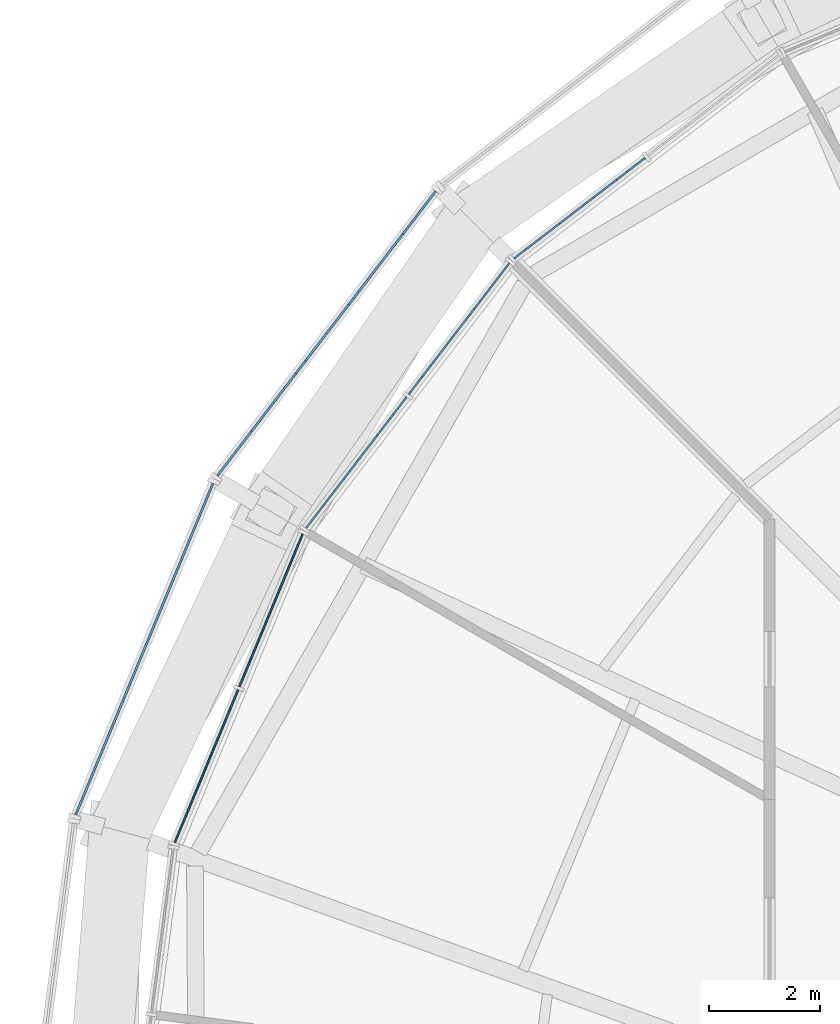
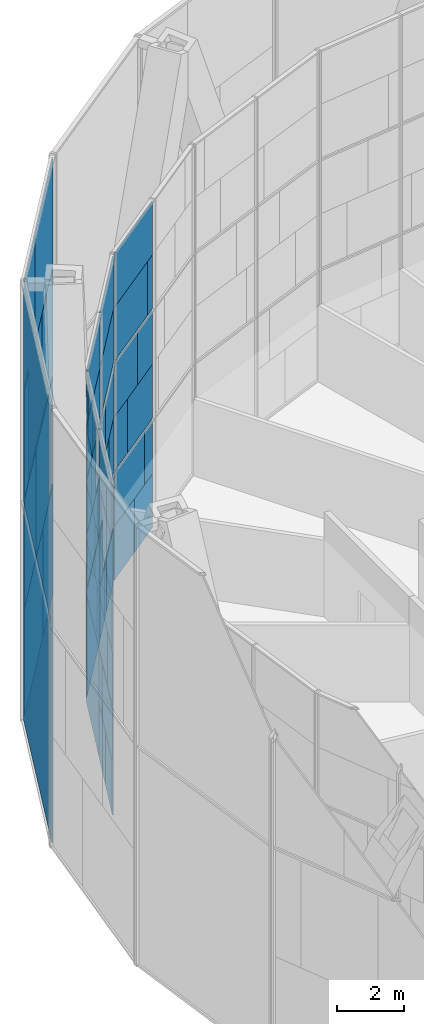
# One storey, part 19 of 26: 63 plates, 5 elements without a shape of their own.
"""IFC4 building model written with IfcOpenShell, lengths in metres."""

from ifc_helpers import new_model, si_unit, direction, frame, origin, origin_2d, place, context, subcontext, project, spatial, rectangle, extrude, material, layer, layer_set, type_object, element, aggregate, save


model = new_model("IFC4")

# Units and contexts
model_context = context("Model", 3, precision=1e-05, world=origin(), true_north=direction((0.0, 1.0)))
body_context = subcontext(model_context, "Body", "Model", "MODEL_VIEW")
ifc_project = project(units=[si_unit("LENGTHUNIT", "METRE"), si_unit("AREAUNIT", "SQUARE_METRE"), si_unit("VOLUMEUNIT", "CUBIC_METRE"), si_unit("PLANEANGLEUNIT", "RADIAN"), si_unit("MASSUNIT", "GRAM", prefix="KILO")], contexts=[model_context])

# Site, building, storey
site_placement = place(None, origin())
site = spatial("IfcSite", under=ifc_project, at=site_placement, CompositionType="ELEMENT")
building_placement = place(site_placement, origin())
building = spatial("IfcBuilding", under=site, at=building_placement, Name="Golbaran Civic Tower", CompositionType="ELEMENT")
storey_placement = place(building_placement, frame((0.0, 0.0, 199.0)))
storey = spatial("IfcBuildingStorey", under=building, at=storey_placement, Name="L48", CompositionType="ELEMENT", Elevation=199.0)

# Curtain wall, plates
ifc_material_1 = material(Name="Aluminium and glass", Category="aluminium")
curtain_wall_type_1 = type_object("IfcCurtainWallType", Name="INNER SKIN CURTAIN WALL EXECUTIVE", PredefinedType="NOTDEFINED", material=ifc_material_1)
curtain_wall_1_placement = place(storey_placement, origin())
curtain_wall_1 = element("IfcCurtainWall", 1, at=curtain_wall_1_placement, inside=storey, type_object=curtain_wall_type_1, Name="Inner skin L48 facet 9 CW2", ObjectType="INNER SKIN", PredefinedType="USERDEFINED")
ifc_material_2 = material(Name="Clear insulating glass", Category="glass")
ifc_layer_1 = layer(ifc_material_2, 0.031982421875, Name="Clear insulating glass")
ifc_layer_set_1 = layer_set([ifc_layer_1], Name="Clear insulating glass")
plate_type_1 = type_object("IfcPlateType", Name="INNER SKIN CURTAIN WALL EXECUTIVE GLAZED PANEL", PredefinedType="CURTAIN_PANEL", material=ifc_layer_set_1)
plate_1_placement = place(storey_placement, frame((-14.816162109375, 18.08251953125, 0.06005859375), z_axis=(0.0, 0.0, 1.0), x_axis=(-0.793353340259, -0.60876142905, 0.0)))
plate_1 = element("IfcPlate", 2, at=plate_1_placement, type_object=plate_type_1, Name="CW2 panel 2.1 part 1", PredefinedType="CURTAIN_PANEL", context=body_context, shape_type="SweptSolid", body=[
    extrude(rectangle(XDim=1.43310546875, YDim=0.031982421875, at=origin_2d()), origin(), (0.0, 0.0, 1.0), 1.955078125),
])
plate_2_placement = place(storey_placement, frame((-14.507080078125, 18.319580078125, 2.014892578125), z_axis=(0.0, 0.0, 1.0), x_axis=(-0.793353340259, -0.60876142905, 0.0)))
plate_2 = element("IfcPlate", 3, at=plate_2_placement, type_object=plate_type_1, Name="CW2 panel 2.1 part 3", PredefinedType="CURTAIN_PANEL", context=body_context, shape_type="SweptSolid", body=[
    extrude(rectangle(XDim=0.654052734375, YDim=0.031982421875, at=origin_2d()), origin(), (0.0, 0.0, 1.0), 1.955078125),
])
plate_3_placement = place(storey_placement, frame((-16.205322265625, 17.0166015625, 4.02978515625), z_axis=(0.0, 0.0, 1.0), x_axis=(-0.793353340259, -0.60876142905, 0.0)))
plate_3 = element("IfcPlate", 4, at=plate_3_placement, type_object=plate_type_1, Name="CW2 panel 2.2 part 2", PredefinedType="CURTAIN_PANEL", context=body_context, shape_type="SweptSolid", body=[
    extrude(rectangle(XDim=1.037109375, YDim=0.031982421875, at=origin_2d()), origin(), (0.0, 0.0, 1.0), 1.969970703125),
])
plate_4_placement = place(storey_placement, frame((-15.89404296875, 17.255615234375, 6.0), z_axis=(0.0, 0.0, 1.0), x_axis=(-0.793353340259, -0.60876142905, 0.0)))
plate_4 = element("IfcPlate", 5, at=plate_4_placement, type_object=plate_type_1, Name="CW2 panel 2.2 part 4", PredefinedType="CURTAIN_PANEL", context=body_context, shape_type="SweptSolid", body=[
    extrude(rectangle(XDim=1.822021484375, YDim=0.031982421875, at=origin_2d()), origin(), (0.0, 0.0, 1.0), 1.969970703125),
])
plate_5_placement = place(storey_placement, frame((-15.5908203125, 17.488037109375, 8.030029296875), z_axis=(0.0, 0.0, 1.0), x_axis=(-0.793353340259, -0.60876142905, 0.0)))
plate_5 = element("IfcPlate", 6, at=plate_5_placement, type_object=plate_type_1, Name="CW2 panel 2.3 part 2", PredefinedType="CURTAIN_PANEL", context=body_context, shape_type="SweptSolid", body=[
    extrude(rectangle(XDim=2.586181640625, YDim=0.031982421875, at=origin_2d()), origin(), (0.0, 0.0, 1.0), 1.955078125),
])
plate_6_placement = place(storey_placement, frame((-15.432373046875, 17.60986328125, 9.98486328125), z_axis=(0.0, 0.0, 1.0), x_axis=(-0.793353340259, -0.60876142905, 0.0)))
plate_6 = element("IfcPlate", 7, at=plate_6_placement, type_object=plate_type_1, Name="CW2 panel 2.3 part 3", PredefinedType="CURTAIN_PANEL", context=body_context, shape_type="SweptSolid", body=[
    extrude(rectangle(XDim=2.986083984375, YDim=0.031982421875, at=origin_2d()), origin(), (0.0, 0.0, 1.0), 1.955078125),
])

curtain_wall_2_placement = place(storey_placement, origin())
curtain_wall_2 = element("IfcCurtainWall", 8, at=curtain_wall_2_placement, inside=storey, type_object=curtain_wall_type_1, Name="Inner skin L48 facet 10 CW2", ObjectType="INNER SKIN", PredefinedType="USERDEFINED")
plate_7_placement = place(storey_placement, frame((-18.08251953125, 14.816162109375, 0.06005859375), z_axis=(0.0, 0.0, 1.0), x_axis=(-0.60876142905, -0.793353340259, 0.0)))
plate_7 = element("IfcPlate", 9, at=plate_7_placement, type_object=plate_type_1, Name="CW2 panel 1.1 part 2", PredefinedType="CURTAIN_PANEL", context=body_context, shape_type="SweptSolid", body=[
    extrude(rectangle(XDim=1.43310546875, YDim=0.031982421875, at=origin_2d()), origin(), (0.0, 0.0, 1.0), 1.955078125),
])
plate_8_placement = place(storey_placement, frame((-18.319580078125, 14.50732421875, 2.014892578125), z_axis=(0.0, 0.0, 1.0), x_axis=(-0.60876142905, -0.793353340259, 0.0)))
plate_8 = element("IfcPlate", 10, at=plate_8_placement, type_object=plate_type_1, Name="CW2 panel 1.1 part 4", PredefinedType="CURTAIN_PANEL", context=body_context, shape_type="SweptSolid", body=[
    extrude(rectangle(XDim=0.654052734375, YDim=0.031982421875, at=origin_2d()), origin(), (0.0, 0.0, 1.0), 1.955078125),
])
plate_9_placement = place(storey_placement, frame((-17.0166015625, 16.205322265625, 4.02978515625), z_axis=(0.0, 0.0, 1.0), x_axis=(-0.60876142905, -0.793353340259, 0.0)))
plate_9 = element("IfcPlate", 11, at=plate_9_placement, type_object=plate_type_1, Name="CW2 panel 1.2 part 1", PredefinedType="CURTAIN_PANEL", context=body_context, shape_type="SweptSolid", body=[
    extrude(rectangle(XDim=1.037109375, YDim=0.031982421875, at=origin_2d()), origin(), (0.0, 0.0, 1.0), 1.969970703125),
])
plate_10_placement = place(storey_placement, frame((-17.25537109375, 15.89404296875, 6.0), z_axis=(0.0, 0.0, 1.0), x_axis=(-0.60876142905, -0.793353340259, 0.0)))
plate_10 = element("IfcPlate", 12, at=plate_10_placement, type_object=plate_type_1, Name="CW2 panel 1.2 part 3", PredefinedType="CURTAIN_PANEL", context=body_context, shape_type="SweptSolid", body=[
    extrude(rectangle(XDim=1.822021484375, YDim=0.031982421875, at=origin_2d()), origin(), (0.0, 0.0, 1.0), 1.969970703125),
])
plate_11_placement = place(storey_placement, frame((-17.48779296875, 15.59130859375, 8.030029296875), z_axis=(0.0, 0.0, 1.0), x_axis=(-0.60876142905, -0.793353340259, 0.0)))
plate_11 = element("IfcPlate", 13, at=plate_11_placement, type_object=plate_type_1, Name="CW2 panel 1.3 part 1", PredefinedType="CURTAIN_PANEL", context=body_context, shape_type="SweptSolid", body=[
    extrude(rectangle(XDim=2.5849609375, YDim=0.031982421875, at=origin_2d()), origin(), (0.0, 0.0, 1.0), 1.955078125),
])
plate_12_placement = place(storey_placement, frame((-17.60986328125, 15.432373046875, 9.98486328125), z_axis=(0.0, 0.0, 1.0), x_axis=(-0.60876142905, -0.793353340259, 0.0)))
plate_12 = element("IfcPlate", 14, at=plate_12_placement, type_object=plate_type_1, Name="CW2 panel 1.3 part 3", PredefinedType="CURTAIN_PANEL", context=body_context, shape_type="SweptSolid", body=[
    extrude(rectangle(XDim=2.986083984375, YDim=0.031982421875, at=origin_2d()), origin(), (0.0, 0.0, 1.0), 1.955078125),
])
plate_13_placement = place(storey_placement, frame((-19.464111328125, 13.015625, 0.06005859375), z_axis=(0.0, 0.0, 1.0), x_axis=(-0.60876142905, -0.793353340259, 0.0)))
plate_13 = element("IfcPlate", 15, at=plate_13_placement, type_object=plate_type_1, Name="CW2 panel 2.1", PredefinedType="CURTAIN_PANEL", context=body_context, shape_type="SweptSolid", body=[
    extrude(rectangle(XDim=2.986083984375, YDim=0.031982421875, at=origin_2d()), origin(), (0.0, 0.0, 1.0), 3.909912109375),
])
plate_14_placement = place(storey_placement, frame((-19.5859375, 12.85693359375, 4.02978515625), z_axis=(0.0, 0.0, 1.0), x_axis=(-0.60876142905, -0.793353340259, 0.0)))
plate_14 = element("IfcPlate", 16, at=plate_14_placement, type_object=plate_type_1, Name="CW2 panel 2.2 part 2", PredefinedType="CURTAIN_PANEL", context=body_context, shape_type="SweptSolid", body=[
    extrude(rectangle(XDim=2.586181640625, YDim=0.031982421875, at=origin_2d()), origin(), (0.0, 0.0, 1.0), 1.969970703125),
])
plate_15_placement = place(storey_placement, frame((-19.731689453125, 12.6669921875, 6.0), z_axis=(0.0, 0.0, 1.0), x_axis=(-0.60876142905, -0.793353340259, 0.0)))
plate_15 = element("IfcPlate", 17, at=plate_15_placement, type_object=plate_type_1, Name="CW2 panel 2.2 part 4", PredefinedType="CURTAIN_PANEL", context=body_context, shape_type="SweptSolid", body=[
    extrude(rectangle(XDim=2.107177734375, YDim=0.031982421875, at=origin_2d()), origin(), (0.0, 0.0, 1.0), 1.969970703125),
])
plate_16_placement = place(storey_placement, frame((-19.97607421875, 12.348388671875, 8.030029296875), z_axis=(0.0, 0.0, 1.0), x_axis=(-0.60876142905, -0.793353340259, 0.0)))
plate_16 = element("IfcPlate", 18, at=plate_16_placement, type_object=plate_type_1, Name="CW2 panel 2.3 part 2", PredefinedType="CURTAIN_PANEL", context=body_context, shape_type="SweptSolid", body=[
    extrude(rectangle(XDim=1.30419921875, YDim=0.031982421875, at=origin_2d()), origin(), (0.0, 0.0, 1.0), 1.955078125),
])
plate_17_placement = place(storey_placement, frame((-20.21337890625, 12.039306640625, 9.98486328125), z_axis=(0.0, 0.0, 1.0), x_axis=(-0.60876142905, -0.793353340259, 0.0)))
plate_17 = element("IfcPlate", 19, at=plate_17_placement, type_object=plate_type_1, Name="CW2 panel 2.3 part 4", PredefinedType="CURTAIN_PANEL", context=body_context, shape_type="SweptSolid", body=[
    extrude(rectangle(XDim=0.525146484375, YDim=0.031982421875, at=origin_2d()), origin(), (0.0, 0.0, 1.0), 1.955078125),
])

curtain_wall_3_placement = place(storey_placement, origin())
curtain_wall_3 = element("IfcCurtainWall", 20, at=curtain_wall_3_placement, inside=storey, type_object=curtain_wall_type_1, Name="Inner skin L48 facet 11 CW2", ObjectType="INNER SKIN", PredefinedType="USERDEFINED")
plate_18_placement = place(storey_placement, frame((-21.00390625, 10.3486328125, 0.06005859375), z_axis=(0.0, 0.0, 1.0), x_axis=(-0.382683432349, -0.923879532518, 0.0)))
plate_18 = element("IfcPlate", 21, at=plate_18_placement, type_object=plate_type_1, Name="CW2 panel 1.1", PredefinedType="CURTAIN_PANEL", context=body_context, shape_type="SweptSolid", body=[
    extrude(rectangle(XDim=2.986083984375, YDim=0.031982421875, at=origin_2d()), origin(), (0.0, 0.0, 1.0), 3.909912109375),
])
plate_19_placement = place(storey_placement, frame((-20.92724609375, 10.533935546875, 4.02978515625), z_axis=(0.0, 0.0, 1.0), x_axis=(-0.382683432349, -0.923879532518, 0.0)))
plate_19 = element("IfcPlate", 22, at=plate_19_placement, type_object=plate_type_1, Name="CW2 panel 1.2 part 1", PredefinedType="CURTAIN_PANEL", context=body_context, shape_type="SweptSolid", body=[
    extrude(rectangle(XDim=2.5849609375, YDim=0.031982421875, at=origin_2d()), origin(), (0.0, 0.0, 1.0), 1.969970703125),
])
plate_20_placement = place(storey_placement, frame((-20.835693359375, 10.754638671875, 6.0), z_axis=(0.0, 0.0, 1.0), x_axis=(-0.382683432349, -0.923879532518, 0.0)))
plate_20 = element("IfcPlate", 23, at=plate_20_placement, type_object=plate_type_1, Name="CW2 panel 1.2 part 3", PredefinedType="CURTAIN_PANEL", context=body_context, shape_type="SweptSolid", body=[
    extrude(rectangle(XDim=2.10693359375, YDim=0.031982421875, at=origin_2d()), origin(), (0.0, 0.0, 1.0), 1.969970703125),
])
plate_21_placement = place(storey_placement, frame((-20.68212890625, 11.125732421875, 8.030029296875), z_axis=(0.0, 0.0, 1.0), x_axis=(-0.382683432349, -0.923879532518, 0.0)))
plate_21 = element("IfcPlate", 24, at=plate_21_placement, type_object=plate_type_1, Name="CW2 panel 1.3 part 1", PredefinedType="CURTAIN_PANEL", context=body_context, shape_type="SweptSolid", body=[
    extrude(rectangle(XDim=1.303955078125, YDim=0.031982421875, at=origin_2d()), origin(), (0.0, 0.0, 1.0), 1.955078125),
])
plate_22_placement = place(storey_placement, frame((-20.532958984375, 11.485595703125, 9.98486328125), z_axis=(0.0, 0.0, 1.0), x_axis=(-0.382683432349, -0.923879532518, 0.0)))
plate_22 = element("IfcPlate", 25, at=plate_22_placement, type_object=plate_type_1, Name="CW2 panel 1.3 part 3", PredefinedType="CURTAIN_PANEL", context=body_context, shape_type="SweptSolid", body=[
    extrude(rectangle(XDim=0.52490234375, YDim=0.031982421875, at=origin_2d()), origin(), (0.0, 0.0, 1.0), 1.955078125),
])
plate_23_placement = place(storey_placement, frame((-21.87255859375, 8.251953125, 0.06005859375), z_axis=(0.0, 0.0, 1.0), x_axis=(-0.382683432349, -0.923879532518, 0.0)))
plate_23 = element("IfcPlate", 26, at=plate_23_placement, type_object=plate_type_1, Name="CW2 panel 2.1 part 1", PredefinedType="CURTAIN_PANEL", context=body_context, shape_type="SweptSolid", body=[
    extrude(rectangle(XDim=1.43310546875, YDim=0.031982421875, at=origin_2d()), origin(), (0.0, 0.0, 1.0), 1.955078125),
])
plate_24_placement = place(storey_placement, frame((-21.723388671875, 8.61181640625, 2.014892578125), z_axis=(0.0, 0.0, 1.0), x_axis=(-0.382683432349, -0.923879532518, 0.0)))
plate_24 = element("IfcPlate", 27, at=plate_24_placement, type_object=plate_type_1, Name="CW2 panel 2.1 part 3", PredefinedType="CURTAIN_PANEL", context=body_context, shape_type="SweptSolid", body=[
    extrude(rectangle(XDim=0.654052734375, YDim=0.031982421875, at=origin_2d()), origin(), (0.0, 0.0, 1.0), 1.955078125),
])
plate_25_placement = place(storey_placement, frame((-22.54248046875, 6.634033203125, 4.02978515625), z_axis=(0.0, 0.0, 1.0), x_axis=(-0.382683432349, -0.923879532518, 0.0)))
plate_25 = element("IfcPlate", 28, at=plate_25_placement, type_object=plate_type_1, Name="CW2 panel 2.2 part 2", PredefinedType="CURTAIN_PANEL", context=body_context, shape_type="SweptSolid", body=[
    extrude(rectangle(XDim=1.037109375, YDim=0.031982421875, at=origin_2d()), origin(), (0.0, 0.0, 1.0), 1.969970703125),
])
plate_26_placement = place(storey_placement, frame((-22.392333984375, 6.996826171875, 6.0), z_axis=(0.0, 0.0, 1.0), x_axis=(-0.382683432349, -0.923879532518, 0.0)))
plate_26 = element("IfcPlate", 29, at=plate_26_placement, type_object=plate_type_1, Name="CW2 panel 2.2 part 4", PredefinedType="CURTAIN_PANEL", context=body_context, shape_type="SweptSolid", body=[
    extrude(rectangle(XDim=1.822021484375, YDim=0.031982421875, at=origin_2d()), origin(), (0.0, 0.0, 1.0), 1.969970703125),
])
plate_27_placement = place(storey_placement, frame((-22.24609375, 7.349609375, 8.030029296875), z_axis=(0.0, 0.0, 1.0), x_axis=(-0.382683432349, -0.923879532518, 0.0)))
plate_27 = element("IfcPlate", 30, at=plate_27_placement, type_object=plate_type_1, Name="CW2 panel 2.3 part 2", PredefinedType="CURTAIN_PANEL", context=body_context, shape_type="SweptSolid", body=[
    extrude(rectangle(XDim=2.586181640625, YDim=0.031982421875, at=origin_2d()), origin(), (0.0, 0.0, 1.0), 1.955078125),
])
plate_28_placement = place(storey_placement, frame((-22.169677734375, 7.534423828125, 9.98486328125), z_axis=(0.0, 0.0, 1.0), x_axis=(-0.382683432349, -0.923879532518, 0.0)))
plate_28 = element("IfcPlate", 31, at=plate_28_placement, type_object=plate_type_1, Name="CW2 panel 2.3 part 3", PredefinedType="CURTAIN_PANEL", context=body_context, shape_type="SweptSolid", body=[
    extrude(rectangle(XDim=2.986083984375, YDim=0.031982421875, at=origin_2d()), origin(), (0.0, 0.0, 1.0), 1.955078125),
])

# Plate
ifc_material_3 = material(Name="Aluminium faced opaque infill panel", Category="aluminium")
ifc_layer_2 = layer(ifc_material_3, 0.031982421875, Name="Aluminium faced opaque infill panel")
ifc_layer_set_2 = layer_set([ifc_layer_2], Name="Aluminium faced opaque infill panel")
plate_type_2 = type_object("IfcPlateType", Name="INNER SKIN CURTAIN WALL EXECUTIVE OPAQUE INFILL PANEL", PredefinedType="CURTAIN_PANEL", material=ifc_layer_set_2)
plate_29_placement = place(storey_placement, frame((-16.000732421875, 17.173583984375, 0.06005859375), z_axis=(0.0, 0.0, 1.0), x_axis=(-0.793353340259, -0.60876142905, 0.0)))
plate_29 = element("IfcPlate", 32, at=plate_29_placement, type_object=plate_type_2, Name="CW2 infill panel 2.1 part 2", PredefinedType="CURTAIN_PANEL", context=body_context, shape_type="SweptSolid", body=[
    extrude(rectangle(XDim=1.55322265625, YDim=0.031982421875, at=origin_2d()), origin(), (0.0, 0.0, 1.0), 1.955078125),
])

plate_30_placement = place(storey_placement, frame((-15.691650390625, 17.41064453125, 2.014892578125), z_axis=(0.0, 0.0, 1.0), x_axis=(-0.793353340259, -0.60876142905, 0.0)))
plate_30 = element("IfcPlate", 33, at=plate_30_placement, type_object=plate_type_2, Name="CW2 infill panel 2.1 part 4", PredefinedType="CURTAIN_PANEL", context=body_context, shape_type="SweptSolid", body=[
    extrude(rectangle(XDim=2.33203125, YDim=0.031982421875, at=origin_2d()), origin(), (0.0, 0.0, 1.0), 1.955078125),
])

plate_31_placement = place(storey_placement, frame((-15.020751953125, 17.925537109375, 4.02978515625), z_axis=(0.0, 0.0, 1.0), x_axis=(-0.793353340259, -0.60876142905, 0.0)))
plate_31 = element("IfcPlate", 34, at=plate_31_placement, type_object=plate_type_2, Name="CW2 infill panel 2.2 part 1", PredefinedType="CURTAIN_PANEL", context=body_context, shape_type="SweptSolid", body=[
    extrude(rectangle(XDim=1.948974609375, YDim=0.031982421875, at=origin_2d()), origin(), (0.0, 0.0, 1.0), 1.969970703125),
])

plate_32_placement = place(storey_placement, frame((-14.70947265625, 18.16455078125, 6.0), z_axis=(0.0, 0.0, 1.0), x_axis=(-0.793353340259, -0.60876142905, 0.0)))
plate_32 = element("IfcPlate", 35, at=plate_32_placement, type_object=plate_type_2, Name="CW2 infill panel 2.2 part 3", PredefinedType="CURTAIN_PANEL", context=body_context, shape_type="SweptSolid", body=[
    extrude(rectangle(XDim=1.1640625, YDim=0.031982421875, at=origin_2d()), origin(), (0.0, 0.0, 1.0), 1.969970703125),
])

plate_33_placement = place(storey_placement, frame((-14.406494140625, 18.39697265625, 8.030029296875), z_axis=(0.0, 0.0, 1.0), x_axis=(-0.793353340259, -0.60876142905, 0.0)))
plate_33 = element("IfcPlate", 36, at=plate_33_placement, type_object=plate_type_2, Name="CW2 infill panel 2.3 part 1", PredefinedType="CURTAIN_PANEL", context=body_context, shape_type="SweptSolid", body=[
    extrude(rectangle(XDim=0.39990234375, YDim=0.031982421875, at=origin_2d()), origin(), (0.0, 0.0, 1.0), 1.955078125),
])

aggregate(curtain_wall_1, [plate_1, plate_29, plate_2, plate_30, plate_31, plate_3, plate_32, plate_4, plate_33, plate_5, plate_6])

plate_34_placement = place(storey_placement, frame((-17.173583984375, 16.000732421875, 0.06005859375), z_axis=(0.0, 0.0, 1.0), x_axis=(-0.60876142905, -0.793353340259, 0.0)))
plate_34 = element("IfcPlate", 37, at=plate_34_placement, type_object=plate_type_2, Name="CW2 infill panel 1.1 part 1", PredefinedType="CURTAIN_PANEL", context=body_context, shape_type="SweptSolid", body=[
    extrude(rectangle(XDim=1.552978515625, YDim=0.031982421875, at=origin_2d()), origin(), (0.0, 0.0, 1.0), 1.955078125),
])

plate_35_placement = place(storey_placement, frame((-17.41064453125, 15.691650390625, 2.014892578125), z_axis=(0.0, 0.0, 1.0), x_axis=(-0.60876142905, -0.793353340259, 0.0)))
plate_35 = element("IfcPlate", 38, at=plate_35_placement, type_object=plate_type_2, Name="CW2 infill panel 1.1 part 3", PredefinedType="CURTAIN_PANEL", context=body_context, shape_type="SweptSolid", body=[
    extrude(rectangle(XDim=2.33203125, YDim=0.031982421875, at=origin_2d()), origin(), (0.0, 0.0, 1.0), 1.955078125),
])

plate_36_placement = place(storey_placement, frame((-17.925537109375, 15.02099609375, 4.02978515625), z_axis=(0.0, 0.0, 1.0), x_axis=(-0.60876142905, -0.793353340259, 0.0)))
plate_36 = element("IfcPlate", 39, at=plate_36_placement, type_object=plate_type_2, Name="CW2 infill panel 1.2 part 2", PredefinedType="CURTAIN_PANEL", context=body_context, shape_type="SweptSolid", body=[
    extrude(rectangle(XDim=1.94921875, YDim=0.031982421875, at=origin_2d()), origin(), (0.0, 0.0, 1.0), 1.969970703125),
])

plate_37_placement = place(storey_placement, frame((-18.164306640625, 14.70947265625, 6.0), z_axis=(0.0, 0.0, 1.0), x_axis=(-0.60876142905, -0.793353340259, 0.0)))
plate_37 = element("IfcPlate", 40, at=plate_37_placement, type_object=plate_type_2, Name="CW2 infill panel 1.2 part 4", PredefinedType="CURTAIN_PANEL", context=body_context, shape_type="SweptSolid", body=[
    extrude(rectangle(XDim=1.1640625, YDim=0.031982421875, at=origin_2d()), origin(), (0.0, 0.0, 1.0), 1.969970703125),
])

plate_38_placement = place(storey_placement, frame((-18.396728515625, 14.40673828125, 8.030029296875), z_axis=(0.0, 0.0, 1.0), x_axis=(-0.60876142905, -0.793353340259, 0.0)))
plate_38 = element("IfcPlate", 41, at=plate_38_placement, type_object=plate_type_2, Name="CW2 infill panel 1.3 part 2", PredefinedType="CURTAIN_PANEL", context=body_context, shape_type="SweptSolid", body=[
    extrude(rectangle(XDim=0.401123046875, YDim=0.031982421875, at=origin_2d()), origin(), (0.0, 0.0, 1.0), 1.955078125),
])

plate_39_placement = place(storey_placement, frame((-18.677001953125, 14.04150390625, 4.02978515625), z_axis=(0.0, 0.0, 1.0), x_axis=(-0.60876142905, -0.793353340259, 0.0)))
plate_39 = element("IfcPlate", 42, at=plate_39_placement, type_object=plate_type_2, Name="CW2 infill panel 2.2 part 1", PredefinedType="CURTAIN_PANEL", context=body_context, shape_type="SweptSolid", body=[
    extrude(rectangle(XDim=0.39990234375, YDim=0.031982421875, at=origin_2d()), origin(), (0.0, 0.0, 1.0), 1.969970703125),
])

plate_40_placement = place(storey_placement, frame((-18.82275390625, 13.8515625, 6.0), z_axis=(0.0, 0.0, 1.0), x_axis=(-0.60876142905, -0.793353340259, 0.0)))
plate_40 = element("IfcPlate", 43, at=plate_40_placement, type_object=plate_type_2, Name="CW2 infill panel 2.2 part 3", PredefinedType="CURTAIN_PANEL", context=body_context, shape_type="SweptSolid", body=[
    extrude(rectangle(XDim=0.87890625, YDim=0.031982421875, at=origin_2d()), origin(), (0.0, 0.0, 1.0), 1.969970703125),
])

plate_41_placement = place(storey_placement, frame((-19.067138671875, 13.532958984375, 8.030029296875), z_axis=(0.0, 0.0, 1.0), x_axis=(-0.60876142905, -0.793353340259, 0.0)))
plate_41 = element("IfcPlate", 44, at=plate_41_placement, type_object=plate_type_2, Name="CW2 infill panel 2.3 part 1", PredefinedType="CURTAIN_PANEL", context=body_context, shape_type="SweptSolid", body=[
    extrude(rectangle(XDim=1.681884765625, YDim=0.031982421875, at=origin_2d()), origin(), (0.0, 0.0, 1.0), 1.955078125),
])

plate_42_placement = place(storey_placement, frame((-19.304443359375, 13.223876953125, 9.98486328125), z_axis=(0.0, 0.0, 1.0), x_axis=(-0.60876142905, -0.793353340259, 0.0)))
plate_42 = element("IfcPlate", 45, at=plate_42_placement, type_object=plate_type_2, Name="CW2 infill panel 2.3 part 3", PredefinedType="CURTAIN_PANEL", context=body_context, shape_type="SweptSolid", body=[
    extrude(rectangle(XDim=2.4609375, YDim=0.031982421875, at=origin_2d()), origin(), (0.0, 0.0, 1.0), 1.955078125),
])

aggregate(curtain_wall_2, [plate_34, plate_7, plate_35, plate_8, plate_9, plate_36, plate_10, plate_37, plate_11, plate_38, plate_12, plate_13, plate_39, plate_14, plate_40, plate_15, plate_41, plate_16, plate_42, plate_17])

plate_43_placement = place(storey_placement, frame((-21.49853515625, 9.154541015625, 4.02978515625), z_axis=(0.0, 0.0, 1.0), x_axis=(-0.382683432349, -0.923879532518, 0.0)))
plate_43 = element("IfcPlate", 46, at=plate_43_placement, type_object=plate_type_2, Name="CW2 infill panel 1.2 part 2", PredefinedType="CURTAIN_PANEL", context=body_context, shape_type="SweptSolid", body=[
    extrude(rectangle(XDim=0.401123046875, YDim=0.031982421875, at=origin_2d()), origin(), (0.0, 0.0, 1.0), 1.969970703125),
])

plate_44_placement = place(storey_placement, frame((-21.4072265625, 9.375244140625, 6.0), z_axis=(0.0, 0.0, 1.0), x_axis=(-0.382683432349, -0.923879532518, 0.0)))
plate_44 = element("IfcPlate", 47, at=plate_44_placement, type_object=plate_type_2, Name="CW2 infill panel 1.2 part 4", PredefinedType="CURTAIN_PANEL", context=body_context, shape_type="SweptSolid", body=[
    extrude(rectangle(XDim=0.879150390625, YDim=0.031982421875, at=origin_2d()), origin(), (0.0, 0.0, 1.0), 1.969970703125),
])

plate_45_placement = place(storey_placement, frame((-21.25341796875, 9.746337890625, 8.030029296875), z_axis=(0.0, 0.0, 1.0), x_axis=(-0.382683432349, -0.923879532518, 0.0)))
plate_45 = element("IfcPlate", 48, at=plate_45_placement, type_object=plate_type_2, Name="CW2 infill panel 1.3 part 2", PredefinedType="CURTAIN_PANEL", context=body_context, shape_type="SweptSolid", body=[
    extrude(rectangle(XDim=1.68212890625, YDim=0.031982421875, at=origin_2d()), origin(), (0.0, 0.0, 1.0), 1.955078125),
])

plate_46_placement = place(storey_placement, frame((-21.1044921875, 10.106201171875, 9.98486328125), z_axis=(0.0, 0.0, 1.0), x_axis=(-0.382683432349, -0.923879532518, 0.0)))
plate_46 = element("IfcPlate", 49, at=plate_46_placement, type_object=plate_type_2, Name="CW2 infill panel 1.3 part 4", PredefinedType="CURTAIN_PANEL", context=body_context, shape_type="SweptSolid", body=[
    extrude(rectangle(XDim=2.461181640625, YDim=0.031982421875, at=origin_2d()), origin(), (0.0, 0.0, 1.0), 1.955078125),
])

plate_47_placement = place(storey_placement, frame((-22.44384765625, 6.87255859375, 0.06005859375), z_axis=(0.0, 0.0, 1.0), x_axis=(-0.382683432349, -0.923879532518, 0.0)))
plate_47 = element("IfcPlate", 50, at=plate_47_placement, type_object=plate_type_2, Name="CW2 infill panel 2.1 part 2", PredefinedType="CURTAIN_PANEL", context=body_context, shape_type="SweptSolid", body=[
    extrude(rectangle(XDim=1.55322265625, YDim=0.031982421875, at=origin_2d()), origin(), (0.0, 0.0, 1.0), 1.955078125),
])

plate_48_placement = place(storey_placement, frame((-22.294677734375, 7.232421875, 2.014892578125), z_axis=(0.0, 0.0, 1.0), x_axis=(-0.382683432349, -0.923879532518, 0.0)))
plate_48 = element("IfcPlate", 51, at=plate_48_placement, type_object=plate_type_2, Name="CW2 infill panel 2.1 part 4", PredefinedType="CURTAIN_PANEL", context=body_context, shape_type="SweptSolid", body=[
    extrude(rectangle(XDim=2.33203125, YDim=0.031982421875, at=origin_2d()), origin(), (0.0, 0.0, 1.0), 1.955078125),
])

plate_49_placement = place(storey_placement, frame((-21.97119140625, 8.013427734375, 4.02978515625), z_axis=(0.0, 0.0, 1.0), x_axis=(-0.382683432349, -0.923879532518, 0.0)))
plate_49 = element("IfcPlate", 52, at=plate_49_placement, type_object=plate_type_2, Name="CW2 infill panel 2.2 part 1", PredefinedType="CURTAIN_PANEL", context=body_context, shape_type="SweptSolid", body=[
    extrude(rectangle(XDim=1.948974609375, YDim=0.031982421875, at=origin_2d()), origin(), (0.0, 0.0, 1.0), 1.969970703125),
])

plate_50_placement = place(storey_placement, frame((-21.821044921875, 8.376220703125, 6.0), z_axis=(0.0, 0.0, 1.0), x_axis=(-0.382683432349, -0.923879532518, 0.0)))
plate_50 = element("IfcPlate", 53, at=plate_50_placement, type_object=plate_type_2, Name="CW2 infill panel 2.2 part 3", PredefinedType="CURTAIN_PANEL", context=body_context, shape_type="SweptSolid", body=[
    extrude(rectangle(XDim=1.1640625, YDim=0.031982421875, at=origin_2d()), origin(), (0.0, 0.0, 1.0), 1.969970703125),
])

plate_51_placement = place(storey_placement, frame((-21.6748046875, 8.72900390625, 8.030029296875), z_axis=(0.0, 0.0, 1.0), x_axis=(-0.382683432349, -0.923879532518, 0.0)))
plate_51 = element("IfcPlate", 54, at=plate_51_placement, type_object=plate_type_2, Name="CW2 infill panel 2.3 part 1", PredefinedType="CURTAIN_PANEL", context=body_context, shape_type="SweptSolid", body=[
    extrude(rectangle(XDim=0.39990234375, YDim=0.031982421875, at=origin_2d()), origin(), (0.0, 0.0, 1.0), 1.955078125),
])

aggregate(curtain_wall_3, [plate_18, plate_19, plate_43, plate_20, plate_44, plate_21, plate_45, plate_22, plate_46, plate_23, plate_47, plate_24, plate_48, plate_49, plate_25, plate_50, plate_26, plate_51, plate_27, plate_28])

# Curtain wall, plates
curtain_wall_type_2 = type_object("IfcCurtainWallType", Name="OUTER SKIN TERRACOTTA SCREEN", PredefinedType="NOTDEFINED", material=ifc_material_1)
curtain_wall_4_placement = place(storey_placement, origin())
curtain_wall_4 = element("IfcCurtainWall", 55, at=curtain_wall_4_placement, inside=storey, type_object=curtain_wall_type_2, Name="Outer skin L48 facet 10 CW3", ObjectType="OUTER SKIN", PredefinedType="USERDEFINED")
ifc_material_4 = material(Name="Clear laminated glass", Category="glass")
ifc_layer_3 = layer(ifc_material_4, 0.0400390625, Name="Clear laminated glass")
ifc_layer_set_3 = layer_set([ifc_layer_3], Name="Clear laminated glass")
plate_type_3 = type_object("IfcPlateType", Name="OUTER SKIN CLEAR GLASS PANEL", PredefinedType="CURTAIN_PANEL", material=ifc_layer_set_3)
plate_52_placement = place(storey_placement, frame((-20.698486328125, 14.43798828125, -0.6298828125), z_axis=(0.0, 0.0, 1.0), x_axis=(-0.608761428967, -0.793353340323, 0.0)))
plate_52 = element("IfcPlate", 56, at=plate_52_placement, type_object=plate_type_3, Name="CW3 panel 1.1 part 2", PredefinedType="CURTAIN_PANEL", context=body_context, shape_type="SweptSolid", body=[
    extrude(rectangle(XDim=4.18603515625, YDim=0.0400390625, at=origin_2d()), origin(), (0.0, 0.0, 1.0), 3.93994140625),
])
plate_53_placement = place(storey_placement, frame((-18.3251953125, 17.53076171875, 3.31005859375), z_axis=(0.0, 0.0, 1.0), x_axis=(-0.608761428967, -0.793353340323, 0.0)))
plate_53 = element("IfcPlate", 57, at=plate_53_placement, type_object=plate_type_3, Name="CW3 panel 1.1 part 3", PredefinedType="CURTAIN_PANEL", context=body_context, shape_type="SweptSolid", body=[
    extrude(rectangle(XDim=0.972900390625, YDim=0.0400390625, at=origin_2d()), origin(), (0.0, 0.0, 1.0), 3.93994140625),
])
plate_54_placement = place(storey_placement, frame((-21.176025390625, 13.815673828125, 3.31005859375), z_axis=(0.0, 0.0, 1.0), x_axis=(-0.608761428967, -0.793353340323, 0.0)))
plate_54 = element("IfcPlate", 58, at=plate_54_placement, type_object=plate_type_3, Name="CW3 panel 1.1 part 5", PredefinedType="CURTAIN_PANEL", context=body_context, shape_type="SweptSolid", body=[
    extrude(rectangle(XDim=2.616943359375, YDim=0.0400390625, at=origin_2d()), origin(), (0.0, 0.0, 1.0), 3.93994140625),
])
plate_55_placement = place(storey_placement, frame((-18.81298828125, 16.89501953125, 7.330078125), z_axis=(0.0, 0.0, 1.0), x_axis=(-0.608761428967, -0.793353340323, 0.0)))
plate_55 = element("IfcPlate", 59, at=plate_55_placement, type_object=plate_type_3, Name="CW3 panel 1.2 part 1", PredefinedType="CURTAIN_PANEL", context=body_context, shape_type="SweptSolid", body=[
    extrude(rectangle(XDim=2.575927734375, YDim=0.0400390625, at=origin_2d()), origin(), (0.0, 0.0, 1.0), 3.93994140625),
])
plate_56_placement = place(storey_placement, frame((-21.66357421875, 13.18017578125, 7.330078125), z_axis=(0.0, 0.0, 1.0), x_axis=(-0.608761428967, -0.793353340323, 0.0)))
plate_56 = element("IfcPlate", 60, at=plate_56_placement, type_object=plate_type_3, Name="CW3 panel 1.2 part 3", PredefinedType="CURTAIN_PANEL", context=body_context, shape_type="SweptSolid", body=[
    extrude(rectangle(XDim=1.01513671875, YDim=0.0400390625, at=origin_2d()), origin(), (0.0, 0.0, 1.0), 3.93994140625),
])
plate_57_placement = place(storey_placement, frame((-19.2919921875, 16.27099609375, 11.27001953125), z_axis=(0.0, 0.0, 1.0), x_axis=(-0.608761428967, -0.793353340323, 0.0)))
plate_57 = element("IfcPlate", 61, at=plate_57_placement, type_object=plate_type_3, Name="CW3 panel 1.2 part 4", PredefinedType="CURTAIN_PANEL", context=body_context, shape_type="SweptSolid", body=[
    extrude(rectangle(XDim=4.14892578125, YDim=0.0400390625, at=origin_2d()), origin(), (0.0, 0.0, 1.0), 3.93994140625),
])
ifc_material_5 = material(Name="Terracotta baguette screen", Category="masonry")
ifc_layer_4 = layer(ifc_material_5, 0.0400390625, Name="Terracotta baguette screen")
ifc_layer_set_4 = layer_set([ifc_layer_4], Name="Terracotta baguette screen")
plate_type_4 = type_object("IfcPlateType", Name="OUTER SKIN TERRACOTTA INFILL PANEL", PredefinedType="CURTAIN_PANEL", material=ifc_layer_set_4)
plate_58_placement = place(storey_placement, frame((-18.7265625, 17.007568359375, -0.6298828125), z_axis=(0.0, 0.0, 1.0), x_axis=(-0.608761428967, -0.793353340323, 0.0)))
plate_58 = element("IfcPlate", 62, at=plate_58_placement, type_object=plate_type_4, Name="CW3 infill panel 1.1 part 1", PredefinedType="CURTAIN_PANEL", context=body_context, shape_type="SweptSolid", body=[
    extrude(rectangle(XDim=2.2919921875, YDim=0.0400390625, at=origin_2d()), origin(), (0.0, 0.0, 1.0), 3.93994140625),
])
plate_59_placement = place(storey_placement, frame((-19.50048828125, 15.999267578125, 3.31005859375), z_axis=(0.0, 0.0, 1.0), x_axis=(-0.608761428967, -0.793353340323, 0.0)))
plate_59 = element("IfcPlate", 63, at=plate_59_placement, type_object=plate_type_4, Name="CW3 infill panel 1.1 part 4", PredefinedType="CURTAIN_PANEL", context=body_context, shape_type="SweptSolid", body=[
    extrude(rectangle(XDim=2.887939453125, YDim=0.0400390625, at=origin_2d()), origin(), (0.0, 0.0, 1.0), 3.93994140625),
])
plate_60_placement = place(storey_placement, frame((-20.475830078125, 14.72802734375, 7.330078125), z_axis=(0.0, 0.0, 1.0), x_axis=(-0.608761428967, -0.793353340323, 0.0)))
plate_60 = element("IfcPlate", 64, at=plate_60_placement, type_object=plate_type_4, Name="CW3 infill panel 1.2 part 2", PredefinedType="CURTAIN_PANEL", context=body_context, shape_type="SweptSolid", body=[
    extrude(rectangle(XDim=2.886962890625, YDim=0.0400390625, at=origin_2d()), origin(), (0.0, 0.0, 1.0), 3.93994140625),
])
plate_61_placement = place(storey_placement, frame((-21.263671875, 13.701416015625, 11.27001953125), z_axis=(0.0, 0.0, 1.0), x_axis=(-0.608761428967, -0.793353340323, 0.0)))
plate_61 = element("IfcPlate", 65, at=plate_61_placement, type_object=plate_type_4, Name="CW3 infill panel 1.2 part 5", PredefinedType="CURTAIN_PANEL", context=body_context, shape_type="SweptSolid", body=[
    extrude(rectangle(XDim=2.3291015625, YDim=0.0400390625, at=origin_2d()), origin(), (0.0, 0.0, 1.0), 3.93994140625),
])
aggregate(curtain_wall_4, [plate_58, plate_52, plate_53, plate_59, plate_54, plate_55, plate_60, plate_56, plate_57, plate_61])

curtain_wall_5_placement = place(storey_placement, origin())
curtain_wall_5 = element("IfcCurtainWall", 66, at=curtain_wall_5_placement, inside=storey, type_object=curtain_wall_type_2, Name="Outer skin L48 facet 11 CW3", ObjectType="OUTER SKIN", PredefinedType="USERDEFINED")
ifc_layer_5 = layer(ifc_material_5, 0.0400390625, Name="Terracotta baguette screen")
ifc_layer_set_5 = layer_set([ifc_layer_5], Name="Terracotta baguette screen")
plate_type_5 = type_object("IfcPlateType", Name="OUTER SKIN TERRACOTTA SCREEN PANEL", PredefinedType="CURTAIN_PANEL", material=ifc_layer_set_5)
plate_62_placement = place(storey_placement, frame((-23.29150390625, 9.647705078125, -0.6298828125), z_axis=(0.0, 0.0, 1.0), x_axis=(-0.382683432446, -0.923879532478, 0.0)))
plate_62 = element("IfcPlate", 67, at=plate_62_placement, type_object=plate_type_5, Name="CW3 terracotta screen panel 1.1", PredefinedType="CURTAIN_PANEL", context=body_context, shape_type="SweptSolid", body=[
    extrude(rectangle(XDim=6.47802734375, YDim=0.0400390625, at=origin_2d()), origin(), (0.0, 0.0, 1.0), 7.8798828125),
])
plate_63_placement = place(storey_placement, frame((-23.29150390625, 9.647705078125, 7.330078125), z_axis=(0.0, 0.0, 1.0), x_axis=(-0.382683432446, -0.923879532478, 0.0)))
plate_63 = element("IfcPlate", 68, at=plate_63_placement, type_object=plate_type_5, Name="CW3 terracotta screen panel 1.2", PredefinedType="CURTAIN_PANEL", context=body_context, shape_type="SweptSolid", body=[
    extrude(rectangle(XDim=6.47802734375, YDim=0.0400390625, at=origin_2d()), origin(), (0.0, 0.0, 1.0), 7.8798828125),
])
aggregate(curtain_wall_5, [plate_62, plate_63])

save(model, "model.ifc")
